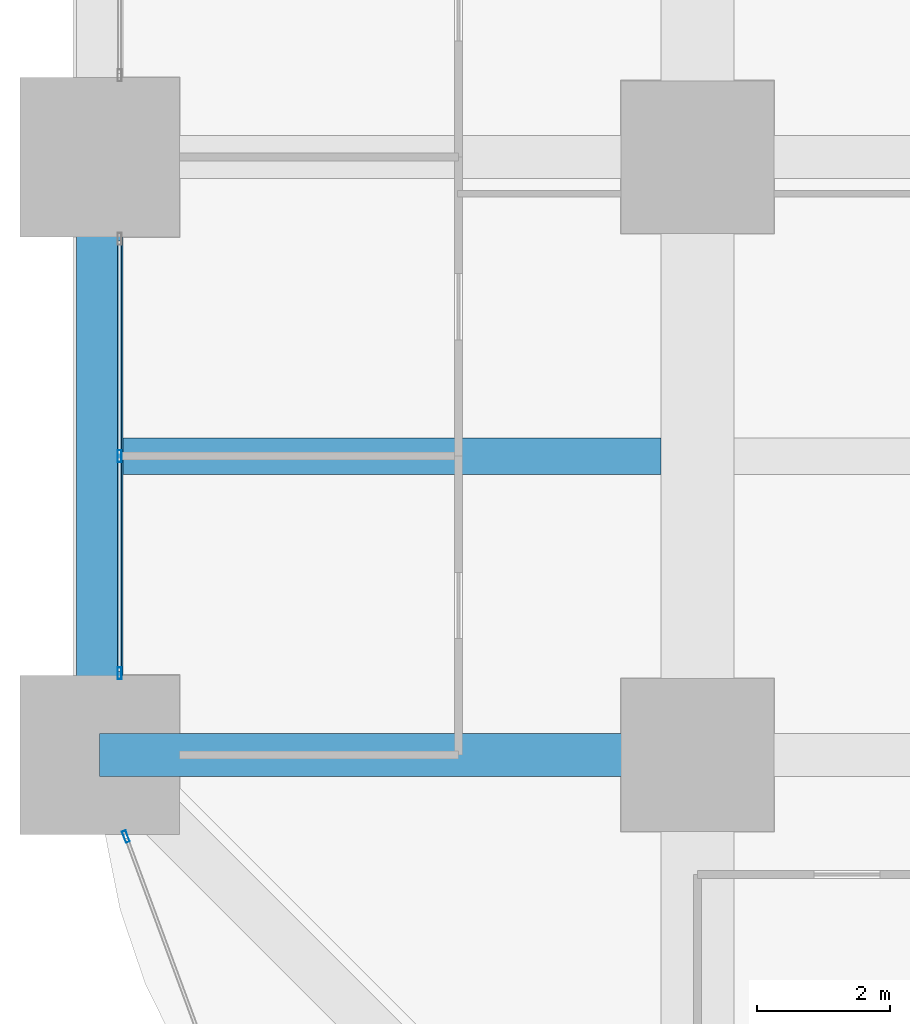
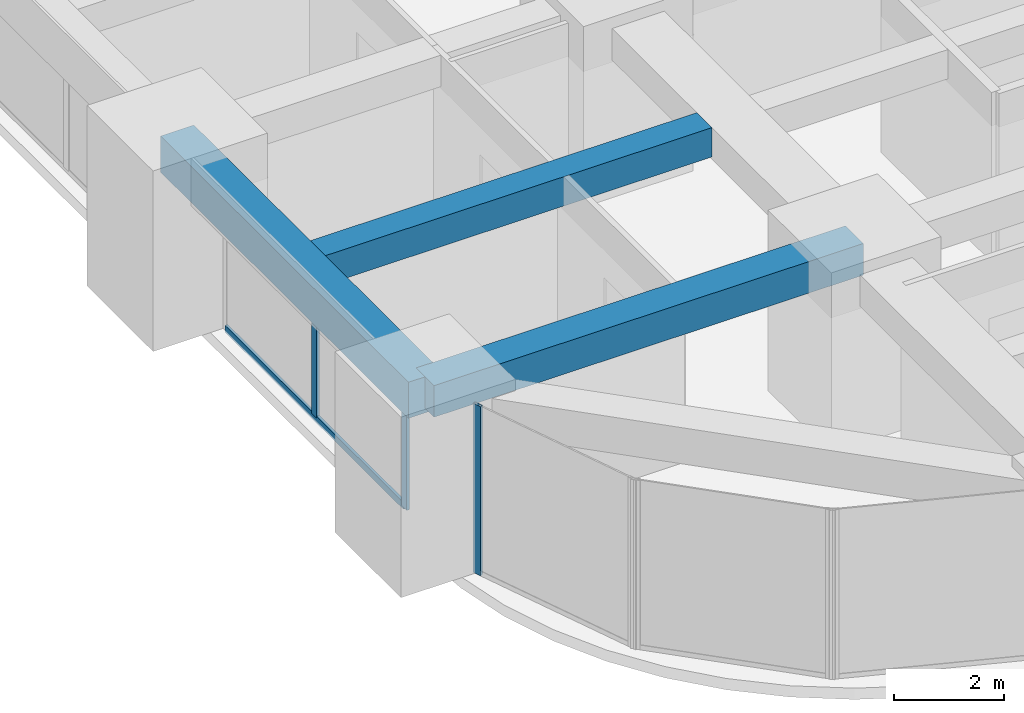
# One storey, part 4 of 44: 4 members, 3 beams, 2 elements without a shape of their own.
"""IFC4 building model written with IfcOpenShell, lengths in metres."""

from ifc_helpers import new_model, si_unit, direction, frame, origin, origin_2d, place, context, subcontext, project, spatial, rectangle, hollow_rectangle, extrude, material, material_profile, profile_set, type_object, element, aggregate, save


model = new_model("IFC4")

# Units and contexts
model_context = context("Model", 3, precision=1e-05, world=origin(), true_north=direction((0.0, 1.0)))
body_context = subcontext(model_context, "Body", "Model", "MODEL_VIEW")
ifc_project = project(units=[si_unit("LENGTHUNIT", "METRE"), si_unit("AREAUNIT", "SQUARE_METRE"), si_unit("VOLUMEUNIT", "CUBIC_METRE"), si_unit("PLANEANGLEUNIT", "RADIAN"), si_unit("MASSUNIT", "GRAM", prefix="KILO")], contexts=[model_context])

# Site, building, storey
site_placement = place(None, origin())
site = spatial("IfcSite", under=ifc_project, at=site_placement, CompositionType="ELEMENT")
building_placement = place(site_placement, origin())
building = spatial("IfcBuilding", under=site, at=building_placement, Name="Zorevar Civic Tower", CompositionType="ELEMENT")
storey_placement = place(building_placement, frame((0.0, 0.0, 35.800048828125)))
storey = spatial("IfcBuildingStorey", under=building, at=storey_placement, Name="L08", CompositionType="ELEMENT", Elevation=35.800048828125)

# Beams
ifc_material_1 = material(Name="Concrete C50/60", Category="concrete")
ifc_material_profile_1 = material_profile(ifc_material_1, rectangle(XDim=0.550048828125, YDim=0.64990234375, at=origin_2d()), Name="RC 550x650")
ifc_profile_set_1 = profile_set([ifc_material_profile_1], Name="Concrete C50/60")
beam_type_1 = type_object("IfcBeamType", Name="Beam RC 550x650", PredefinedType="BEAM", material=ifc_profile_set_1)
beam_1_placement = place(storey_placement, frame((0.35009765625, 13.5, 3.425048828125), z_axis=(1.0, 0.0, 0.0), x_axis=(0.0, 1.0, 0.0)))
element("IfcBeam", 1, at=beam_1_placement, inside=storey, type_object=beam_type_1, Name="Secondary beam L09", PredefinedType="BEAM", context=body_context, shape_type="SweptSolid", body=[
    extrude(rectangle(XDim=0.550048828125, YDim=0.64990234375, at=origin_2d()), origin(), (0.0, 0.0, 1.0), 8.099853515625),
])
ifc_material_2 = material(Name="Concrete C50/60", Category="concrete")
ifc_material_profile_2 = material_profile(ifc_material_2, rectangle(XDim=0.64990234375, YDim=0.699951171875, at=origin_2d()), Name="RC 650x700")
ifc_profile_set_2 = profile_set([ifc_material_profile_2], Name="Concrete C50/60")
beam_type_2 = type_object("IfcBeamType", Name="Beam RC 650x700", PredefinedType="BEAM", material=ifc_profile_set_2)
beam_2_placement = place(storey_placement, frame((0.0, 9.0, 3.39990234375), z_axis=(1.0, 0.0, 0.0), x_axis=(0.0, 1.0, 0.0)))
element("IfcBeam", 2, at=beam_2_placement, inside=storey, type_object=beam_type_2, Name="Girder L09", PredefinedType="BEAM", context=body_context, shape_type="SweptSolid", body=[
    extrude(rectangle(XDim=0.64990234375, YDim=0.699951171875, at=origin_2d()), origin(), (0.0, 0.0, 1.0), 9.0),
])

# Curtain wall, members
ifc_material_3 = material(Name="Dark grey solar-control glass in black aluminium frame", Category="aluminium")
curtain_wall_type = type_object("IfcCurtainWallType", Name="Curtain wall CW2 low zone", PredefinedType="NOTDEFINED", material=ifc_material_3)
curtain_wall_1_placement = place(storey_placement, origin())
curtain_wall_1 = element("IfcCurtainWall", 3, at=curtain_wall_1_placement, inside=storey, type_object=curtain_wall_type, Name="CW2 L08", PredefinedType="NOTDEFINED")
ifc_material_4 = material(Name="Aluminium, black anodised", Category="aluminium")
ifc_material_profile_3 = material_profile(ifc_material_4, hollow_rectangle(XDim=0.06005859375, YDim=0.179931640625, WallThickness=0.00390625, at=origin_2d()), Name="AL 180x60x4")
ifc_profile_set_3 = profile_set([ifc_material_profile_3], Name="Aluminium, black anodised")
member_type_1 = type_object("IfcMemberType", Name="CW2 mullion AL 180x60x4", PredefinedType="MULLION", material=ifc_profile_set_3)
member_1_placement = place(storey_placement, frame((0.300048828125, 10.22998046875, 0.0), z_axis=(0.0, 0.0, 1.0), x_axis=(-1.0, 0.0, 0.0)))
member_1 = element("IfcMember", 4, at=member_1_placement, type_object=member_type_1, Name="CW2 mullion 1", PredefinedType="MULLION", context=body_context, shape_type="SweptSolid", body=[
    extrude(hollow_rectangle(XDim=0.06005859375, YDim=0.179931640625, WallThickness=0.00390625, at=origin_2d()), origin(), (0.0, 0.0, 1.0), 2.949951171875),
])
member_2_placement = place(storey_placement, frame((0.300048828125, 13.5, 0.06005859375), z_axis=(0.0, 0.0, 1.0), x_axis=(-1.0, 0.0, 0.0)))
member_2 = element("IfcMember", 5, at=member_2_placement, type_object=member_type_1, Name="CW2 mullion 2", PredefinedType="MULLION", context=body_context, shape_type="SweptSolid", body=[
    extrude(hollow_rectangle(XDim=0.06005859375, YDim=0.179931640625, WallThickness=0.00390625, at=origin_2d()), origin(), (0.0, 0.0, 1.0), 2.889892578125),
])

# Curtain wall, member
curtain_wall_2_placement = place(storey_placement, origin())
curtain_wall_2 = element("IfcCurtainWall", 6, at=curtain_wall_2_placement, inside=storey, type_object=curtain_wall_type, Name="CW2 L08", PredefinedType="NOTDEFINED")
member_3_placement = place(storey_placement, frame((0.3935546875, 7.77197265625, 0.0), z_axis=(0.0, 0.0, 1.0), x_axis=(0.937974588163, 0.346704012033, 0.0)))
member_3 = element("IfcMember", 7, at=member_3_placement, type_object=member_type_1, Name="CW2 mullion 1", PredefinedType="MULLION", context=body_context, shape_type="SweptSolid", body=[
    extrude(hollow_rectangle(XDim=0.06005859375, YDim=0.179931640625, WallThickness=0.00390625, at=origin_2d()), origin(), (0.0, 0.0, 1.0), 3.75),
])
aggregate(curtain_wall_2, [member_3])

# Member
ifc_material_5 = material(Name="Aluminium, black anodised", Category="aluminium")
ifc_material_profile_4 = material_profile(ifc_material_5, hollow_rectangle(XDim=0.06005859375, YDim=0.14990234375, WallThickness=0.00390625, at=origin_2d()), Name="AL 150x60x4")
ifc_profile_set_4 = profile_set([ifc_material_profile_4], Name="Aluminium, black anodised")
member_type_2 = type_object("IfcMemberType", Name="CW2 transom AL 150x60x4", PredefinedType="USERDEFINED", material=ifc_profile_set_4)
member_4_placement = place(storey_placement, frame((0.300048828125, 10.260009765625, 0.030029296875), z_axis=(0.0, 1.0, 0.0), x_axis=(-1.0, 0.0, 0.0)))
member_4 = element("IfcMember", 8, at=member_4_placement, type_object=member_type_2, Name="CW2 sill transom", ObjectType="TRANSOM", PredefinedType="USERDEFINED", context=body_context, shape_type="SweptSolid", body=[
    extrude(hollow_rectangle(XDim=0.06005859375, YDim=0.14990234375, WallThickness=0.00390625, at=origin_2d()), origin(), (0.0, 0.0, 1.0), 6.47998046875),
])

aggregate(curtain_wall_1, [member_1, member_2, member_4])

# Beam
ifc_material_6 = material(Name="Concrete C50/60", Category="concrete")
ifc_material_profile_5 = material_profile(ifc_material_6, rectangle(XDim=0.699951171875, YDim=0.800048828125, at=origin_2d()), Name="RC 700x800")
ifc_profile_set_5 = profile_set([ifc_material_profile_5], Name="Concrete C50/60")
beam_type_3 = type_object("IfcBeamType", Name="Edge beam RC 700x800", PredefinedType="SPANDREL", material=ifc_profile_set_5)
beam_3_placement = place(storey_placement, frame((0.0, 9.0, 3.349853515625), z_axis=(0.0, 1.0, 0.0), x_axis=(-1.0, 0.0, 0.0)))
element("IfcBeam", 9, at=beam_3_placement, inside=storey, type_object=beam_type_3, Name="Edge beam L09", PredefinedType="SPANDREL", context=body_context, shape_type="SweptSolid", body=[
    extrude(rectangle(XDim=0.699951171875, YDim=0.800048828125, at=origin_2d()), origin(), (0.0, 0.0, 1.0), 9.0),
])

save(model, "model.ifc")
